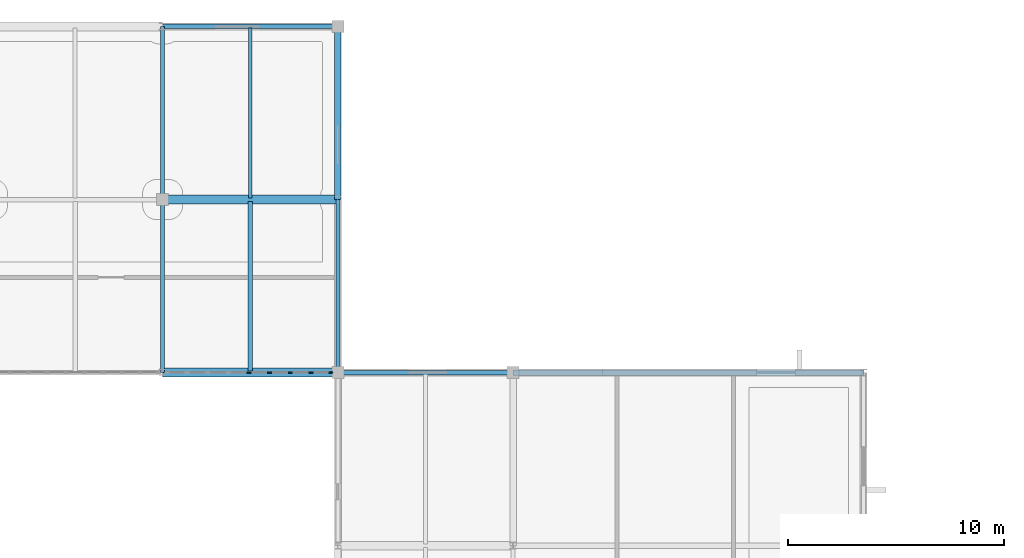
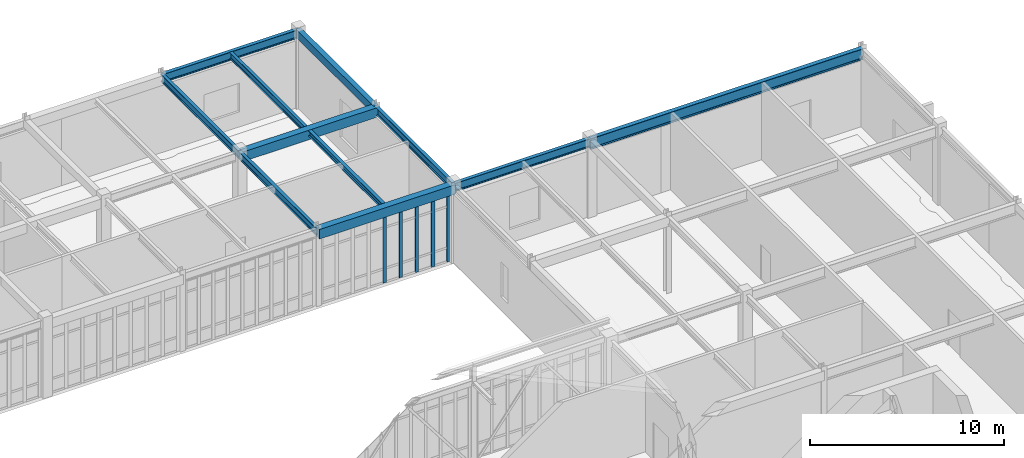
# One storey, part 37 of 107: 11 beams, 5 members, 1 element without a shape of its own.
"""IFC4 building model written with IfcOpenShell, lengths in metres."""

from ifc_helpers import new_model, si_unit, direction, frame, origin, origin_2d, place, context, subcontext, project, spatial, rectangle, i_section, extrude, material, material_profile, profile_set, type_object, element, aggregate, save


model = new_model("IFC4")

# Units and contexts
model_context = context("Model", 3, precision=1e-05, world=origin(), true_north=direction((0.0, 1.0)))
body_context = subcontext(model_context, "Body", "Model", "MODEL_VIEW")
ifc_project = project(units=[si_unit("LENGTHUNIT", "METRE"), si_unit("AREAUNIT", "SQUARE_METRE"), si_unit("VOLUMEUNIT", "CUBIC_METRE"), si_unit("PLANEANGLEUNIT", "RADIAN"), si_unit("MASSUNIT", "GRAM", prefix="KILO")], contexts=[model_context])

# Site, building, storey
site_placement = place(None, origin())
site = spatial("IfcSite", under=ifc_project, at=site_placement, CompositionType="ELEMENT")
building_placement = place(site_placement, origin())
building = spatial("IfcBuilding", under=site, at=building_placement, Name="Tarnveldt Square Police Headquarters", CompositionType="ELEMENT")
storey_placement = place(building_placement, frame((0.0, 0.0, 14.699951171875)))
storey = spatial("IfcBuildingStorey", under=building, at=storey_placement, Name="L03", CompositionType="ELEMENT", Elevation=14.699951171875)

# Beams
ifc_material_1 = material(Name="Concrete 40 MPa", Category="concrete")
ifc_material_profile_1 = material_profile(ifc_material_1, rectangle(XDim=0.300048828125, YDim=0.5, at=origin_2d()), Name="RC-B300x500")
ifc_profile_set_1 = profile_set([ifc_material_profile_1], Name="Concrete 40 MPa")
beam_type_1 = type_object("IfcBeamType", Name="BM-RC300x500", PredefinedType="BEAM", material=ifc_profile_set_1)
beam_1_placement = place(storey_placement, frame((105.300048828125, 104.0, 4.590087890625), z_axis=(0.0, 1.0, 0.0), x_axis=(-1.0, 0.0, 0.0)))
element("IfcBeam", 1, at=beam_1_placement, inside=storey, type_object=beam_type_1, Name="L04 Grid Girder Y-0910", PredefinedType="BEAM", context=body_context, shape_type="SweptSolid", body=[
    extrude(rectangle(XDim=0.300048828125, YDim=0.5, at=origin_2d()), origin(), (0.0, 0.0, 1.0), 8.0),
])
ifc_material_profile_2 = material_profile(ifc_material_1, rectangle(XDim=0.39990234375, YDim=0.60009765625, at=origin_2d()), Name="RC-B400x600")
ifc_profile_set_2 = profile_set([ifc_material_profile_2], Name="Concrete 40 MPa")
beam_type_2 = type_object("IfcBeamType", Name="BM-RC400x600", PredefinedType="BEAM", material=ifc_profile_set_2)
for number, where, z_axis, x_axis, name in (
    (2, (97.199951171875, 96.0, 4.5400390625), (1.0, 0.0, 0.0), (0.0, 1.0, 0.0), "L04 Grid Girder X-0842"),
    (3, (97.199951171875, 104.0, 4.5400390625), (1.0, 0.0, 0.0), (0.0, 1.0, 0.0), "L04 Grid Girder X-0850"),
):
    element("IfcBeam", number, at=place(storey_placement, frame(where, z_axis=z_axis, x_axis=x_axis)), inside=storey, type_object=beam_type_2, Name=name, PredefinedType="BEAM", context=body_context, shape_type="SweptSolid", body=[
        extrude(rectangle(XDim=0.39990234375, YDim=0.60009765625, at=origin_2d()), origin(), (0.0, 0.0, 1.0), 8.10009765625),
    ])
ifc_material_2 = material(Name="Steel 350W", Category="steel")
ifc_material_profile_3 = material_profile(ifc_material_2, i_section(OverallWidth=0.202880859375, OverallDepth=0.346923828125, WebThickness=0.0078125, FlangeThickness=0.013427734375, FilletRadius=0.01611328125, at=origin_2d()), Name="W360x64")
ifc_profile_set_3 = profile_set([ifc_material_profile_3], Name="Steel 350W")
beam_type_3 = type_object("IfcBeamType", Name="BM-W360x64", PredefinedType="JOIST", material=ifc_profile_set_3)
beam_2_placement = place(storey_placement, frame((101.25, 96.080078125, 4.66650390625), z_axis=(0.0, 1.0, 0.0), x_axis=(-1.0, 0.0, 0.0)))
element("IfcBeam", 4, at=beam_2_placement, inside=storey, type_object=beam_type_3, Name="L04 Secondary Floor Joist 0203", PredefinedType="JOIST", context=body_context, shape_type="SweptSolid", body=[
    extrude(i_section(OverallWidth=0.202880859375, OverallDepth=0.346923828125, WebThickness=0.0078125, FlangeThickness=0.013427734375, FilletRadius=0.01611328125, at=origin_2d()), origin(), (0.0, 0.0, 1.0), 7.83984375),
])
ifc_material_profile_4 = material_profile(ifc_material_2, i_section(OverallWidth=0.177978515625, OverallDepth=0.406982421875, WebThickness=0.0078125, FlangeThickness=0.0126953125, FilletRadius=0.01611328125, at=origin_2d()), Name="W410x60")
ifc_profile_set_4 = profile_set([ifc_material_profile_4], Name="Steel 350W")
beam_type_4 = type_object("IfcBeamType", Name="BM-W410x60", PredefinedType="JOIST", material=ifc_profile_set_4)
beam_3_placement = place(storey_placement, frame((101.25, 104.080078125, 4.636474609375), z_axis=(0.0, 1.0, 0.0), x_axis=(-1.0, 0.0, 0.0)))
element("IfcBeam", 5, at=beam_3_placement, inside=storey, type_object=beam_type_4, Name="L04 Secondary Floor Joist 0209", PredefinedType="JOIST", context=body_context, shape_type="SweptSolid", body=[
    extrude(i_section(OverallWidth=0.177978515625, OverallDepth=0.406982421875, WebThickness=0.0078125, FlangeThickness=0.0126953125, FilletRadius=0.01611328125, at=origin_2d()), origin(), (0.0, 0.0, 1.0), 7.83984375),
])
ifc_material_profile_5 = material_profile(ifc_material_2, i_section(OverallWidth=0.19189453125, OverallDepth=0.462890625, WebThickness=0.010498046875, FlangeThickness=0.017578125, FilletRadius=0.01806640625, at=origin_2d()), Name="W460x89")
ifc_profile_set_5 = profile_set([ifc_material_profile_5], Name="Steel 350W")
beam_type_5 = type_object("IfcBeamType", Name="BM-W460x89", PredefinedType="BEAM", material=ifc_profile_set_5)
for number, where, z_axis, x_axis, name in (
    (6, (97.199951171875, 96.0, 4.608642578125), (0.0, 1.0, 0.0), (-1.0, 0.0, 0.0), "L04 Grid Girder Y-0902"),
    (7, (97.199951171875, 104.0, 4.608642578125), (0.0, 1.0, 0.0), (-1.0, 0.0, 0.0), "L04 Grid Girder Y-0903"),
    (8, (105.300048828125, 96.0, 4.608642578125), (0.0, 1.0, 0.0), (-1.0, 0.0, 0.0), "L04 Grid Girder Y-0909"),
):
    element("IfcBeam", number, at=place(storey_placement, frame(where, z_axis=z_axis, x_axis=x_axis)), inside=storey, type_object=beam_type_5, Name=name, PredefinedType="BEAM", context=body_context, shape_type="SweptSolid", body=[
        extrude(i_section(OverallWidth=0.19189453125, OverallDepth=0.462890625, WebThickness=0.010498046875, FlangeThickness=0.017578125, FilletRadius=0.01806640625, at=origin_2d()), origin(), (0.0, 0.0, 1.0), 8.0),
    ])
ifc_material_profile_6 = material_profile(ifc_material_2, i_section(OverallWidth=0.208984375, OverallDepth=0.532958984375, WebThickness=0.01025390625, FlangeThickness=0.015625, FilletRadius=0.01904296875, at=origin_2d()), Name="W530x92")
ifc_profile_set_6 = profile_set([ifc_material_profile_6], Name="Steel 350W")
beam_type_6 = type_object("IfcBeamType", Name="BM-W530x92", PredefinedType="BEAM", material=ifc_profile_set_6)
beam_4_placement = place(storey_placement, frame((105.300048828125, 96.0, 4.573486328125), z_axis=(1.0, 0.0, 0.0), x_axis=(0.0, 1.0, 0.0)))
element("IfcBeam", 9, at=beam_4_placement, inside=storey, type_object=beam_type_6, Name="L04 Grid Girder X-0843", PredefinedType="BEAM", context=body_context, shape_type="SweptSolid", body=[
    extrude(i_section(OverallWidth=0.208984375, OverallDepth=0.532958984375, WebThickness=0.01025390625, FlangeThickness=0.015625, FilletRadius=0.01904296875, at=origin_2d()), origin(), (0.0, 0.0, 1.0), 8.099853515625),
])
beam_5_placement = place(storey_placement, frame((97.199951171875, 112.0, 4.573486328125), z_axis=(1.0, 0.0, 0.0), x_axis=(0.0, 1.0, 0.0)))
element("IfcBeam", 10, at=beam_5_placement, inside=storey, type_object=beam_type_6, Name="L04 Grid Girder X-0861", PredefinedType="BEAM", context=body_context, shape_type="SweptSolid", body=[
    extrude(i_section(OverallWidth=0.208984375, OverallDepth=0.532958984375, WebThickness=0.01025390625, FlangeThickness=0.015625, FilletRadius=0.01904296875, at=origin_2d()), origin(), (0.0, 0.0, 1.0), 8.10009765625),
])
ifc_material_profile_7 = material_profile(ifc_material_2, i_section(OverallWidth=0.25390625, OverallDepth=0.68798828125, WebThickness=0.01318359375, FlangeThickness=0.02099609375, FilletRadius=0.02001953125, at=origin_2d()), Name="W690x152")
ifc_profile_set_7 = profile_set([ifc_material_profile_7], Name="Steel 350W")
beam_type_7 = type_object("IfcBeamType", Name="BM-W690x152", PredefinedType="BEAM", material=ifc_profile_set_7)
beam_6_placement = place(storey_placement, frame((113.39990234375, 96.0, 4.49609375), z_axis=(1.0, 0.0, 0.0), x_axis=(0.0, 1.0, 0.0)))
element("IfcBeam", 11, at=beam_6_placement, inside=storey, type_object=beam_type_7, Name="L04 Grid Girder X-0844", PredefinedType="BEAM", context=body_context, shape_type="SweptSolid", body=[
    extrude(i_section(OverallWidth=0.25390625, OverallDepth=0.68798828125, WebThickness=0.01318359375, FlangeThickness=0.02099609375, FilletRadius=0.02001953125, at=origin_2d()), origin(), (0.0, 0.0, 1.0), 16.2001953125),
])

# Curtain wall, members
ifc_material_3 = material(Name="Triple-glazed low-e laminated vision glass", Category="glass")
curtain_wall_type = type_object("IfcCurtainWallType", Name="CW-LB-764x423", PredefinedType="USERDEFINED", material=ifc_material_3)
curtain_wall_placement = place(storey_placement, origin())
curtain_wall = element("IfcCurtainWall", 12, at=curtain_wall_placement, inside=storey, type_object=curtain_wall_type, Name="L03 Curtain Wall CW-L03-125", ObjectType="GLAZED CURTAIN WALL", PredefinedType="USERDEFINED")
ifc_material_4 = material(Name="Thermally broken anodised aluminium 6063-T6", Category="aluminium")
ifc_material_profile_8 = material_profile(ifc_material_4, rectangle(XDim=0.074951171875, YDim=0.199951171875, at=origin_2d()), Name="CW-M75x200")
ifc_profile_set_8 = profile_set([ifc_material_profile_8], Name="Thermally broken anodised aluminium 6063-T6")
member_type = type_object("IfcMemberType", Name="CWM-75x200", PredefinedType="MULLION", material=ifc_profile_set_8)
member_1_placement = place(storey_placement, frame((101.189453125, 96.0, 0.0), z_axis=(0.0, 0.0, 1.0), x_axis=(0.0, 1.0, 0.0)))
member_1 = element("IfcMember", 13, at=member_1_placement, type_object=member_type, Name="CW-LB74 mullion 5", PredefinedType="MULLION", context=body_context, shape_type="SweptSolid", body=[
    extrude(rectangle(XDim=0.074951171875, YDim=0.199951171875, at=origin_2d()), origin(), (0.0, 0.0, 1.0), 4.23193359375),
])
member_2_placement = place(storey_placement, frame((102.14453125, 96.0, 0.0), z_axis=(0.0, 0.0, 1.0), x_axis=(0.0, 1.0, 0.0)))
member_2 = element("IfcMember", 14, at=member_2_placement, type_object=member_type, Name="CW-LB74 mullion 6", PredefinedType="MULLION", context=body_context, shape_type="SweptSolid", body=[
    extrude(rectangle(XDim=0.074951171875, YDim=0.199951171875, at=origin_2d()), origin(), (0.0, 0.0, 1.0), 4.23193359375),
])
member_3_placement = place(storey_placement, frame((103.099853515625, 96.0, 0.0), z_axis=(0.0, 0.0, 1.0), x_axis=(0.0, 1.0, 0.0)))
member_3 = element("IfcMember", 15, at=member_3_placement, type_object=member_type, Name="CW-LB74 mullion 7", PredefinedType="MULLION", context=body_context, shape_type="SweptSolid", body=[
    extrude(rectangle(XDim=0.074951171875, YDim=0.199951171875, at=origin_2d()), origin(), (0.0, 0.0, 1.0), 4.23193359375),
])
member_4_placement = place(storey_placement, frame((104.054931640625, 96.0, 0.0), z_axis=(0.0, 0.0, 1.0), x_axis=(0.0, 1.0, 0.0)))
member_4 = element("IfcMember", 16, at=member_4_placement, type_object=member_type, Name="CW-LB74 mullion 8", PredefinedType="MULLION", context=body_context, shape_type="SweptSolid", body=[
    extrude(rectangle(XDim=0.074951171875, YDim=0.199951171875, at=origin_2d()), origin(), (0.0, 0.0, 1.0), 4.23193359375),
])
member_5_placement = place(storey_placement, frame((104.972412109375, 96.0, 0.0), z_axis=(0.0, 0.0, 1.0), x_axis=(0.0, 1.0, 0.0)))
member_5 = element("IfcMember", 17, at=member_5_placement, type_object=member_type, Name="CW-LB74 mullion 9", PredefinedType="MULLION", context=body_context, shape_type="SweptSolid", body=[
    extrude(rectangle(XDim=0.074951171875, YDim=0.199951171875, at=origin_2d()), origin(), (0.0, 0.0, 1.0), 4.23193359375),
])
aggregate(curtain_wall, [member_1, member_2, member_3, member_4, member_5])

save(model, "model.ifc")
